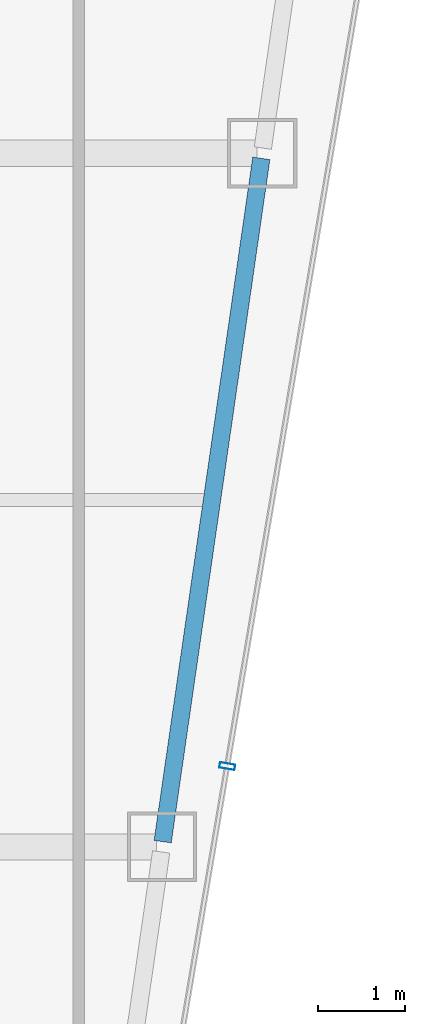
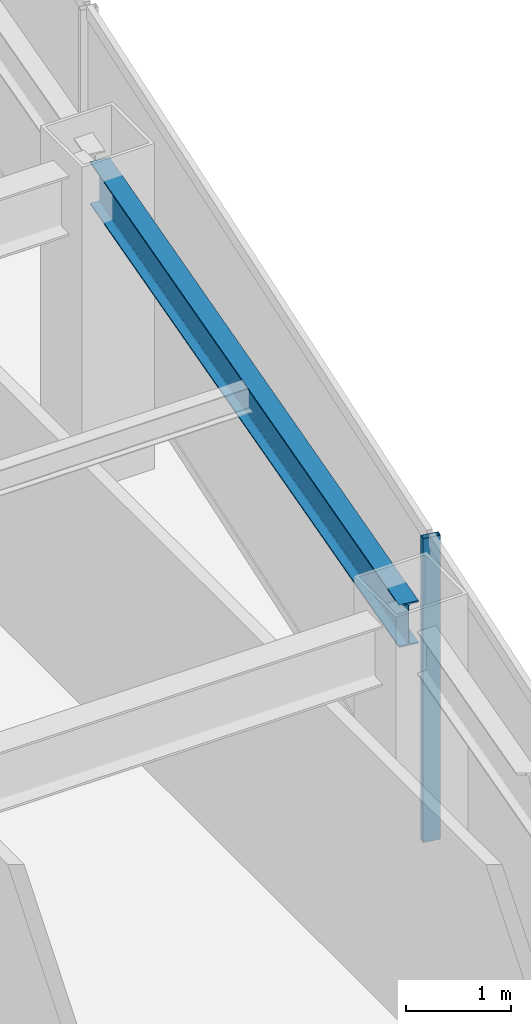
# One storey, part 20 of 36: 1 beam, 1 member, 1 element without a shape of its own.
"""IFC4 building model written with IfcOpenShell, lengths in metres."""

from ifc_helpers import new_model, si_unit, direction, frame, origin, origin_2d, place, context, subcontext, project, spatial, hollow_rectangle, i_section, extrude, material, material_profile, profile_set, type_object, element, aggregate, save


model = new_model("IFC4")

# Units and contexts
model_context = context("Model", 3, precision=1e-05, world=origin(), true_north=direction((0.0, 1.0)))
body_context = subcontext(model_context, "Body", "Model", "MODEL_VIEW")
ifc_project = project(units=[si_unit("LENGTHUNIT", "METRE"), si_unit("AREAUNIT", "SQUARE_METRE"), si_unit("VOLUMEUNIT", "CUBIC_METRE"), si_unit("PLANEANGLEUNIT", "RADIAN"), si_unit("MASSUNIT", "GRAM", prefix="KILO")], contexts=[model_context])

# Site, building, storey
site_placement = place(None, origin())
site = spatial("IfcSite", under=ifc_project, at=site_placement, CompositionType="ELEMENT")
building_placement = place(site_placement, origin())
building = spatial("IfcBuilding", under=site, at=building_placement, Name="Saevonmaru Cultural Tower", CompositionType="ELEMENT")
storey_placement = place(building_placement, frame((0.0, 0.0, 209.39990234375)))
storey = spatial("IfcBuildingStorey", under=building, at=storey_placement, Name="L48", CompositionType="ELEMENT", Elevation=209.39990234375)

# Beam
ifc_material_1 = material(Name="Steel SM355", Category="steel")
ifc_material_profile_1 = material_profile(ifc_material_1, i_section(OverallWidth=0.199951171875, OverallDepth=0.5, WebThickness=0.010009765625, FlangeThickness=0.01611328125, FilletRadius=0.02001953125, at=origin_2d()), Name="H-500x200x10x16")
ifc_profile_set_1 = profile_set([ifc_material_profile_1], Name="Steel SM355")
beam_type = type_object("IfcBeamType", Name="BM-SP-H500", PredefinedType="SPANDREL", material=ifc_profile_set_1)
beam_placement = place(storey_placement, frame((50.53662109375, 24.059326171875, 3.300048828125), z_axis=(0.142871999001, 0.989741174197, 0.0), x_axis=(-0.989741174197, 0.142871999001, 0.0)))
element("IfcBeam", 1, at=beam_placement, inside=storey, type_object=beam_type, Name="L48 East Splayed Spandrel 2", PredefinedType="SPANDREL", context=body_context, shape_type="SweptSolid", body=[
    extrude(i_section(OverallWidth=0.199951171875, OverallDepth=0.5, WebThickness=0.010009765625, FlangeThickness=0.01611328125, FilletRadius=0.02001953125, at=origin_2d()), origin(), (0.0, 0.0, 1.0), 7.963134765625),
])

# Curtain wall, member
ifc_material_2 = material(Name="Satin Bronze Anodised Aluminium", Category="aluminium")
curtain_wall_type = type_object("IfcCurtainWallType", Name="CW-TYP-B", PredefinedType="NOTDEFINED", material=ifc_material_2)
curtain_wall_placement = place(storey_placement, origin())
curtain_wall = element("IfcCurtainWall", 2, at=curtain_wall_placement, inside=storey, type_object=curtain_wall_type, Name="L48 Unitised Curtain Wall E8", PredefinedType="NOTDEFINED")
ifc_material_profile_2 = material_profile(ifc_material_2, hollow_rectangle(XDim=0.06494140625, YDim=0.179931640625, WallThickness=0.00390625, at=origin_2d()), Name="ALU-MULL-180x65x4")
ifc_profile_set_2 = profile_set([ifc_material_profile_2], Name="Satin Bronze Anodised Aluminium")
member_type = type_object("IfcMemberType", Name="ML-CW-180x65", PredefinedType="MULLION", material=ifc_profile_set_2)
member_placement = place(storey_placement, frame((51.28173828125, 24.9296875, 0.0), z_axis=(0.0, 0.0, 1.0), x_axis=(0.16692169721, 0.985970155228, 0.0)))
member = element("IfcMember", 3, at=member_placement, type_object=member_type, Name="CW-TW-L48-E8 mullion 2", PredefinedType="MULLION", context=body_context, shape_type="SweptSolid", body=[
    extrude(hollow_rectangle(XDim=0.06494140625, YDim=0.179931640625, WallThickness=0.00390625, at=origin_2d()), origin(), (0.0, 0.0, 1.0), 3.550048828125),
])
aggregate(curtain_wall, [member])

save(model, "model.ifc")
